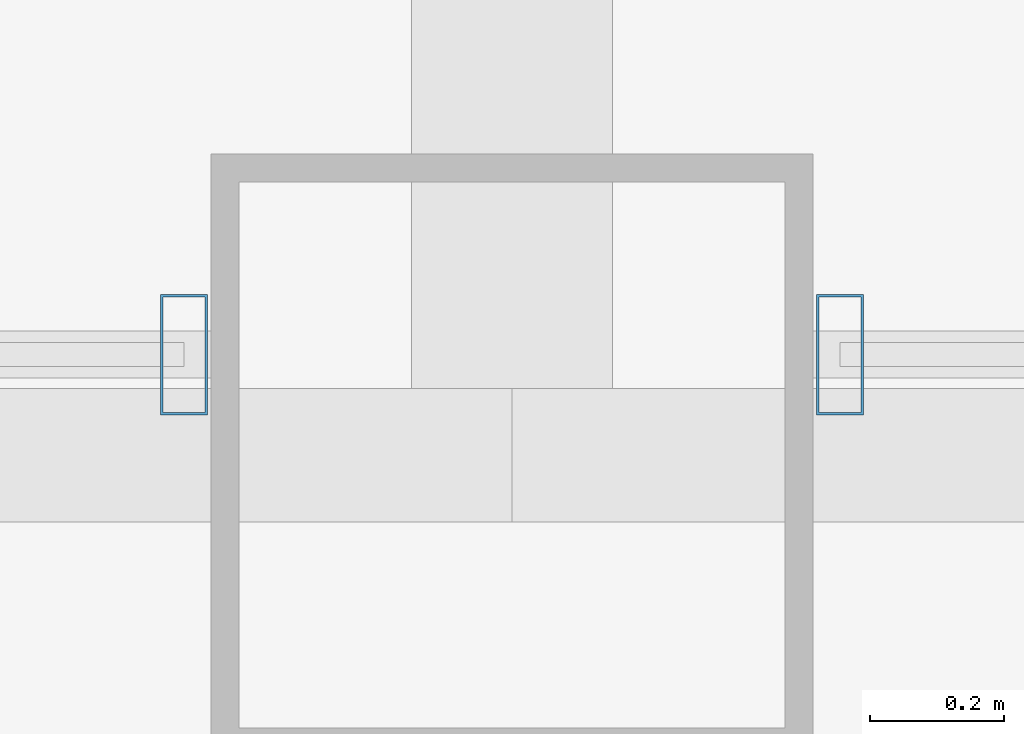
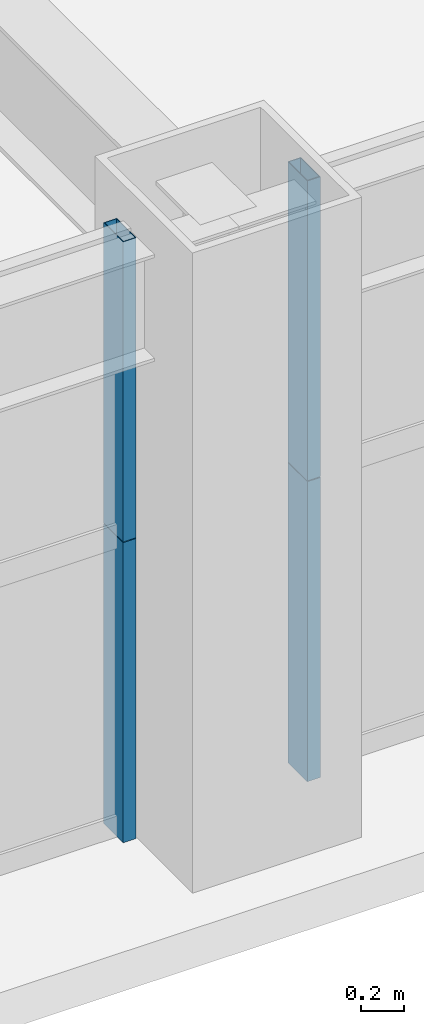
# One storey, part 9 of 38: 4 members, 2 elements without a shape of their own.
"""IFC4 building model written with IfcOpenShell, lengths in metres."""

import ifcopenshell
import ifcopenshell.guid

model = None  # the IFC model being written
_history = None  # IfcOwnerHistory: only IFC2X3 demands one
_inside = {}  # id of a spatial element -> (the spatial element, [elements in it])
_under = {}  # id of a project, library or spatial element -> (it, [spatial elements below it])
_declared = {}  # id of a project -> (the project, [libraries it declares])
_typed = {}  # id of a type object -> (the type object, [elements of that type])
_made_of = {}  # id of a material, layer set ... -> (it, [elements and type objects made of it])


def new_model(schema):
    """Start an empty IFC model of exactly this schema.

    Asked for "IFC4X3", IfcOpenShell would pick the latest addendum, in which some entities
    have other attributes; the version numbers below select the first issue.
    IFC2X3 requires an IfcOwnerHistory on every rooted entity: one is made here for all.
    """
    global model, _history
    if schema == "IFC4X3":
        model = ifcopenshell.file(schema_version=(4, 3, 0, 0))
    else:
        model = ifcopenshell.file(schema=schema)
    _inside.clear()
    _under.clear()
    _declared.clear()
    _typed.clear()
    _made_of.clear()
    _history = None
    if model.schema == "IFC2X3":
        org = make("IfcOrganization", Name="unknown")
        user = make(
            "IfcPersonAndOrganization",
            ThePerson=make("IfcPerson", FamilyName="unknown"),
            TheOrganization=org,
        )
        app = make(
            "IfcApplication",
            ApplicationDeveloper=org,
            Version="unknown",
            ApplicationFullName="unknown",
            ApplicationIdentifier="unknown",
        )
        _history = make(
            "IfcOwnerHistory",
            OwningUser=user,
            OwningApplication=app,
            ChangeAction="ADDED",
            CreationDate=0,
        )
    return model


def make(cls, **values):
    """One entity of the class cls with the attributes given. An attribute that is None is left unset."""
    return model.create_entity(
        cls, **{name: value for name, value in values.items() if value is not None}
    )


def rooted(cls, **values):
    """An entity with a GlobalId (a new one), such as an element, a storey or a relation."""
    return make(cls, GlobalId=ifcopenshell.guid.new(), OwnerHistory=_history, **values)


def si_unit(unit_type, name, prefix=None):
    """IfcSIUnit, for example si_unit("LENGTHUNIT", "METRE", prefix="MILLI")."""
    return make("IfcSIUnit", UnitType=unit_type, Prefix=prefix, Name=name)


def assignment(units):
    """IfcUnitAssignment: the units of a project."""
    return None if units is None else make("IfcUnitAssignment", Units=units)


def point(xyz):
    """IfcCartesianPoint."""
    return None if xyz is None else make("IfcCartesianPoint", Coordinates=xyz)


def direction(xyz):
    """IfcDirection."""
    return None if xyz is None else make("IfcDirection", DirectionRatios=xyz)


def frame(location, z_axis=None, x_axis=None):
    """IfcAxis2Placement3D, a coordinate frame: its origin and axes. An axis left out is left unset."""
    return make(
        "IfcAxis2Placement3D",
        Location=point(location),
        Axis=direction(z_axis),
        RefDirection=direction(x_axis),
    )


def frame_2d(location, x_axis=None):
    """IfcAxis2Placement2D, a coordinate frame in the plane: its origin and x axis."""
    return make(
        "IfcAxis2Placement2D", Location=point(location), RefDirection=direction(x_axis)
    )


def origin():
    """The frame at (0, 0, 0) with its axes left unset."""
    return frame((0.0, 0.0, 0.0))


def origin_2d():
    """The frame at (0, 0) in the plane with its x axis left unset."""
    return frame_2d((0.0, 0.0))


def place(relative_to, where):
    """IfcLocalPlacement: puts the frame where relative to a parent placement (None: the world)."""
    return make(
        "IfcLocalPlacement", PlacementRelTo=relative_to, RelativePlacement=where
    )


def context(
    kind, dimensions, precision=None, world=None, true_north=None, identifier=None
):
    """IfcGeometricRepresentationContext, for example the 3D "Model" context."""
    return make(
        "IfcGeometricRepresentationContext",
        ContextIdentifier=identifier,
        ContextType=kind,
        CoordinateSpaceDimension=dimensions,
        Precision=precision,
        WorldCoordinateSystem=world,
        TrueNorth=true_north,
    )


def subcontext(parent, identifier, kind, view, scale=None):
    """IfcGeometricRepresentationSubContext, for example "Body" below "Model"."""
    return make(
        "IfcGeometricRepresentationSubContext",
        ContextIdentifier=identifier,
        ContextType=kind,
        ParentContext=parent,
        TargetScale=scale,
        TargetView=view,
    )


def project(units=None, contexts=None):
    """IfcProject with its units and contexts."""
    return rooted(
        "IfcProject",
        Name="project",
        RepresentationContexts=contexts,
        UnitsInContext=assignment(units),
    )


def spatial(cls, under=None, at=None, **own):
    """A site, building, storey or space (cls), placed at a placement, below another one or the project."""
    s = rooted(cls, ObjectPlacement=at, **own)
    if under is not None:
        _under.setdefault(under.id(), (under, []))[1].append(s)
    return s


def profile(cls, at=None, kind="AREA", **sizes):
    """A parametric profile (cls). Its sizes go by their IFC names, for example OverallWidth=200.0."""
    return make(cls, ProfileType=kind, Position=at, **sizes)


def hollow_rectangle(**sizes):
    """IfcRectangleHollowProfileDef."""
    return profile("IfcRectangleHollowProfileDef", **sizes)


def extrude(swept, where, along, depth):
    """IfcExtrudedAreaSolid: the profile swept, set in the frame where, extruded along a direction by depth."""
    return make(
        "IfcExtrudedAreaSolid",
        SweptArea=swept,
        Position=where,
        ExtrudedDirection=direction(along),
        Depth=depth,
    )


def shape(context_of_items, identifier, shape_type, items):
    """IfcShapeRepresentation: the items that make up one representation, for example the "Body"."""
    return make(
        "IfcShapeRepresentation",
        ContextOfItems=context_of_items,
        RepresentationIdentifier=identifier,
        RepresentationType=shape_type,
        Items=items,
    )


def source(mapping_origin, context_of_items, identifier, shape_type, items):
    """IfcRepresentationMap: a shape defined once, which mapped items show again and again."""
    return make(
        "IfcRepresentationMap",
        MappingOrigin=mapping_origin,
        MappedRepresentation=shape(context_of_items, identifier, shape_type, items),
    )


def transform(
    local_origin,
    x_axis=None,
    y_axis=None,
    z_axis=None,
    scale=None,
    scale2=None,
    scale3=None,
    uniform=True,
):
    """IfcCartesianTransformationOperator3D, or its non-uniform kind. x_axis, y_axis, z_axis: its Axis1, 2, 3."""
    if uniform:
        return make(
            "IfcCartesianTransformationOperator3D",
            Axis1=direction(x_axis),
            Axis2=direction(y_axis),
            LocalOrigin=point(local_origin),
            Scale=scale,
            Axis3=direction(z_axis),
        )
    return make(
        "IfcCartesianTransformationOperator3DnonUniform",
        Axis1=direction(x_axis),
        Axis2=direction(y_axis),
        LocalOrigin=point(local_origin),
        Scale=scale,
        Axis3=direction(z_axis),
        Scale2=scale2,
        Scale3=scale3,
    )


def mapped(mapping_source, mapping_target):
    """IfcMappedItem: shows the shape of a source again, moved by a transform."""
    return make(
        "IfcMappedItem", MappingSource=mapping_source, MappingTarget=mapping_target
    )


def material(Name=None, Category=None):
    """IfcMaterial."""
    return make("IfcMaterial", Name=Name, Category=Category)


def layer(
    of_material, thickness, ventilated=None, Name=None, Category=None, Priority=None
):
    """IfcMaterialLayer: one layer of a wall or slab, of a material (None: an air gap)."""
    return make(
        "IfcMaterialLayer",
        Material=of_material,
        LayerThickness=thickness,
        IsVentilated=ventilated,
        Name=Name,
        Category=Category,
        Priority=Priority,
    )


def layer_set(layers, Name=None):
    """IfcMaterialLayerSet."""
    return make("IfcMaterialLayerSet", MaterialLayers=layers, LayerSetName=Name)


def material_profile(
    of_material, cross_section, Name=None, Category=None, Priority=None
):
    """IfcMaterialProfile: a cross section and its material."""
    return make(
        "IfcMaterialProfile",
        Name=Name,
        Material=of_material,
        Profile=cross_section,
        Priority=Priority,
        Category=Category,
    )


def profile_set(profiles, Name=None, composite=None):
    """IfcMaterialProfileSet."""
    return make(
        "IfcMaterialProfileSet",
        Name=Name,
        MaterialProfiles=profiles,
        CompositeProfile=composite,
    )


def made_of(thing, what):
    """Note that an element or type object is made of a material, layer set ...; save() writes the relation."""
    if what is not None:
        _made_of.setdefault(what.id(), (what, []))[1].append(thing)
    return thing


def type_object(cls, material=None, **own):
    """A type object (cls), such as IfcWallType, which elements share."""
    return made_of(rooted(cls, **own), material)


def element(
    cls,
    number,
    at=None,
    inside=None,
    cuts=None,
    type_object=None,
    material=None,
    context=None,
    identifier="Body",
    shape_type=None,
    held_by="IfcProductDefinitionShape",
    body=None,
    shapes=None,
    **own,
):
    """One element of the class cls, such as IfcWall. Its Tag is "e" and its number.

    at: its placement. inside: the storey or other place that contains it. cuts: it is an
    opening in that element (IfcRelVoidsElement). A single representation is given by context,
    identifier, shape_type and body (its items); several are given by shapes. held_by: the class
    of the entity that holds the representations. save() writes the other relations.
    """
    e = rooted(cls, Tag="e%d" % number, ObjectPlacement=at, **own)
    if body is not None:
        shapes = [shape(context, identifier, shape_type, body)]
    if shapes is not None:
        e.Representation = make(held_by, Representations=shapes)
    if inside is not None:
        _inside.setdefault(inside.id(), (inside, []))[1].append(e)
    if cuts is not None:
        rooted(
            "IfcRelVoidsElement", RelatingBuildingElement=cuts, RelatedOpeningElement=e
        )
    if type_object is not None:
        _typed.setdefault(type_object.id(), (type_object, []))[1].append(e)
    return made_of(e, material)


def aggregate(whole, parts):
    """IfcRelAggregates: a whole, such as a stair, and the parts it consists of."""
    return rooted("IfcRelAggregates", RelatingObject=whole, RelatedObjects=parts)


def save(model, path):
    """Write the relations noted so far, then the file.

    IfcRelAggregates (storeys below a building ...), IfcRelContainedInSpatialStructure (elements
    in a storey), IfcRelDefinesByType, IfcRelAssociatesMaterial and IfcRelDeclares: one each for
    every whole, place, type object, material and project.
    """
    for whole, parts in _under.values():
        aggregate(whole, parts)
    for where, things in _inside.values():
        rooted(
            "IfcRelContainedInSpatialStructure",
            RelatedElements=things,
            RelatingStructure=where,
        )
    for kind, things in _typed.values():
        rooted("IfcRelDefinesByType", RelatedObjects=things, RelatingType=kind)
    for what, things in _made_of.values():
        rooted("IfcRelAssociatesMaterial", RelatedObjects=things, RelatingMaterial=what)
    for by, libraries in _declared.values():
        rooted("IfcRelDeclares", RelatingContext=by, RelatedDefinitions=libraries)
    model.write(path)


model = new_model("IFC4")

# Units and contexts
model_context = context("Model", 3, precision=1e-05, world=origin(), true_north=direction((0.0, 1.0)))
body_context = subcontext(model_context, "Body", "Model", "MODEL_VIEW")
ifc_project = project(units=[si_unit("LENGTHUNIT", "METRE"), si_unit("AREAUNIT", "SQUARE_METRE"), si_unit("VOLUMEUNIT", "CUBIC_METRE"), si_unit("PLANEANGLEUNIT", "RADIAN"), si_unit("MASSUNIT", "GRAM", prefix="KILO"), si_unit("THERMODYNAMICTEMPERATUREUNIT", "KELVIN"), si_unit("POWERUNIT", "WATT")], contexts=[model_context])

# Site, building, storey
site_placement = place(None, origin())
site = spatial("IfcSite", under=ifc_project, at=site_placement, CompositionType="ELEMENT")
building_placement = place(site_placement, origin())
building = spatial("IfcBuilding", under=site, at=building_placement, Name="Yuzanri Waterfront Tower", CompositionType="ELEMENT")
storey_placement = place(building_placement, frame((0.0, 0.0, 111.800048828125)))
storey = spatial("IfcBuildingStorey", under=building, at=storey_placement, Name="L29", CompositionType="ELEMENT", Elevation=111.800048828125)

# Curtain wall, members
ifc_material_1 = material(Name="Anodized Architectural Bronze", Category="metal")
ifc_layer = layer(ifc_material_1, 0.159912109375)
ifc_layer_set = layer_set([ifc_layer], Name="Anodized Architectural Bronze")
curtain_wall_type = type_object("IfcCurtainWallType", Name="Anodized Bronze Hotel Upper-Tier Solar-Control Unitized Curtain Wall 7800", PredefinedType="NOTDEFINED", material=ifc_layer_set)
curtain_wall_1_placement = place(storey_placement, origin())
curtain_wall_1 = element("IfcCurtainWall", 1, at=curtain_wall_1_placement, inside=storey, type_object=curtain_wall_type, Name="L29 Curtain Wall CW-L29-SL", PredefinedType="NOTDEFINED")
ifc_material_2 = material(Name="Anodized Architectural Bronze", Category="metal")
ifc_material_profile = material_profile(ifc_material_2, hollow_rectangle(XDim=0.070068359375, YDim=0.179931640625, WallThickness=0.00390625, at=origin_2d()), Name="CWM 70x180")
ifc_profile_set = profile_set([ifc_material_profile], Name="Anodized Architectural Bronze")
member_type = type_object("IfcMemberType", Name="Anodized Bronze Standard Curtain-Wall Mullion 70x180", PredefinedType="MULLION", material=ifc_profile_set)
shared_shape = source(origin(), body_context, "Body", "SweptSolid", [
    extrude(hollow_rectangle(XDim=0.070068359375, YDim=0.179931640625, WallThickness=0.00390625, at=origin_2d()), origin(), (0.0, 0.0, 1.0), 1.68798828125),
])
member_1_placement = place(storey_placement, frame((36.510009765625, 2.35009765625, 0.0), z_axis=(0.0, 0.0, 1.0), x_axis=(1.0, 0.0, 0.0)))
member_1 = element("IfcMember", 2, at=member_1_placement, type_object=member_type, Name="CW-L29-SL Lower Mullion 02", PredefinedType="MULLION", context=body_context, shape_type="MappedRepresentation", body=[
    mapped(shared_shape, transform((0.0, 0.0, 0.0), scale=1.0)),
])
member_2_placement = place(storey_placement, frame((36.510009765625, 2.35009765625, 1.69189453125), z_axis=(0.0, 0.0, 1.0), x_axis=(1.0, 0.0, 0.0)))
member_2 = element("IfcMember", 3, at=member_2_placement, type_object=member_type, Name="CW-L29-SL Upper Mullion 02", PredefinedType="MULLION", context=body_context, shape_type="MappedRepresentation", body=[
    mapped(shared_shape, transform((0.0, 0.0, 0.0), scale=1.0)),
])
aggregate(curtain_wall_1, [member_1, member_2])

curtain_wall_2_placement = place(storey_placement, origin())
curtain_wall_2 = element("IfcCurtainWall", 4, at=curtain_wall_2_placement, inside=storey, type_object=curtain_wall_type, Name="L29 Curtain Wall CW-L29-SR", PredefinedType="NOTDEFINED")
member_3_placement = place(storey_placement, frame((37.489990234375, 2.35009765625, 0.0), z_axis=(0.0, 0.0, 1.0), x_axis=(1.0, 0.0, 0.0)))
member_3 = element("IfcMember", 5, at=member_3_placement, type_object=member_type, Name="CW-L29-SR Lower Mullion 00", PredefinedType="MULLION", context=body_context, shape_type="MappedRepresentation", body=[
    mapped(shared_shape, transform((0.0, 0.0, 0.0), scale=1.0)),
])
member_4_placement = place(storey_placement, frame((37.489990234375, 2.35009765625, 1.69189453125), z_axis=(0.0, 0.0, 1.0), x_axis=(1.0, 0.0, 0.0)))
member_4 = element("IfcMember", 6, at=member_4_placement, type_object=member_type, Name="CW-L29-SR Upper Mullion 00", PredefinedType="MULLION", context=body_context, shape_type="MappedRepresentation", body=[
    mapped(shared_shape, transform((0.0, 0.0, 0.0), scale=1.0)),
])
aggregate(curtain_wall_2, [member_3, member_4])

save(model, "model.ifc")
